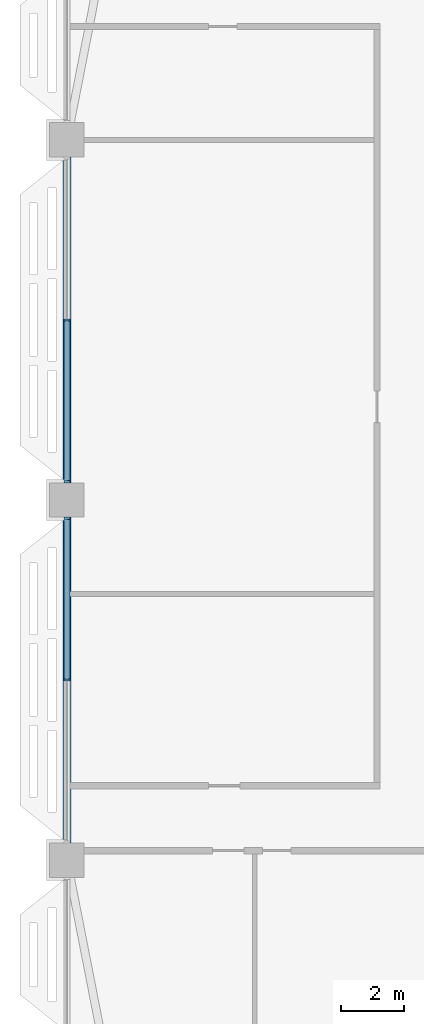
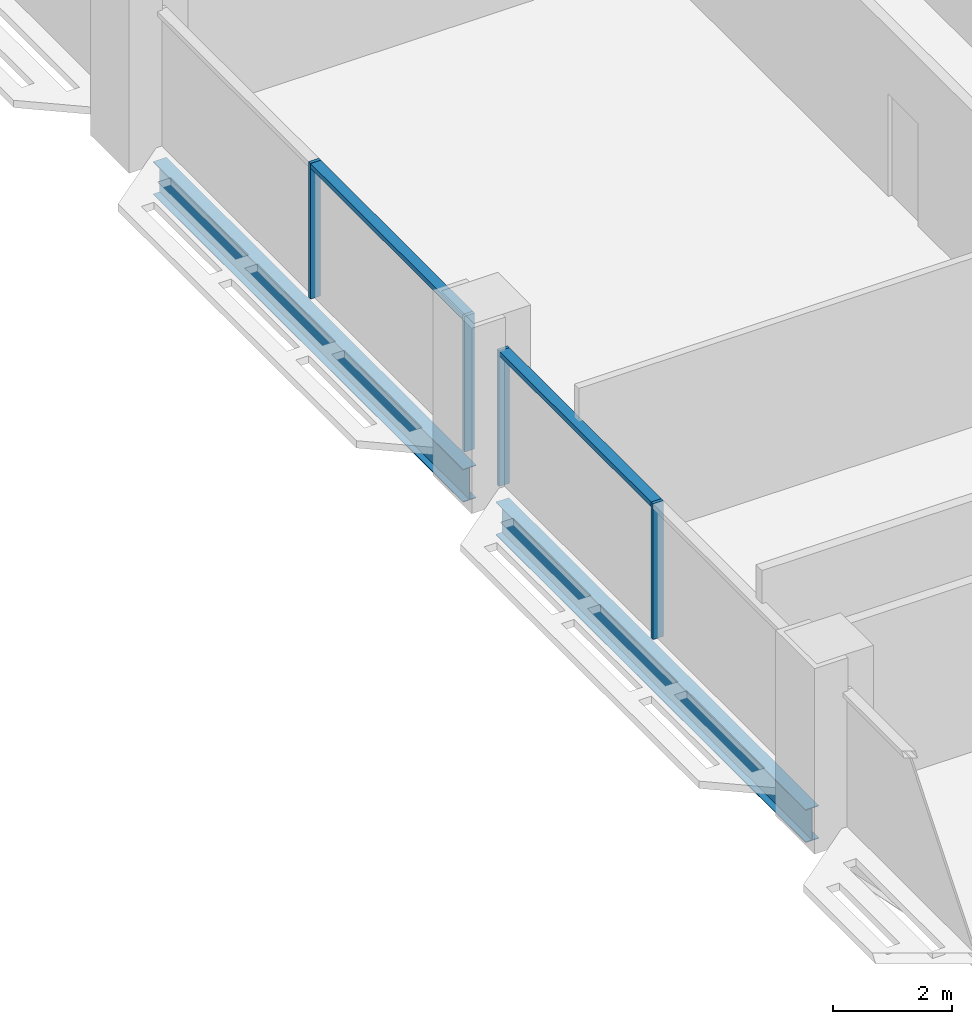
# One storey, part 5 of 30: 6 members, 2 beams, 2 elements without a shape of their own.
"""IFC4 building model written with IfcOpenShell, lengths in metres."""

from ifc_helpers import new_model, si_unit, direction, frame, origin, origin_2d, place, context, subcontext, project, spatial, rectangle, i_section, extrude, material, material_profile, profile_set, type_object, element, aggregate, save


model = new_model("IFC4")

# Units and contexts
model_context = context("Model", 3, precision=1e-05, world=origin(), true_north=direction((0.0, 1.0)))
body_context = subcontext(model_context, "Body", "Model", "MODEL_VIEW")
ifc_project = project(units=[si_unit("LENGTHUNIT", "METRE"), si_unit("AREAUNIT", "SQUARE_METRE"), si_unit("VOLUMEUNIT", "CUBIC_METRE"), si_unit("PLANEANGLEUNIT", "RADIAN"), si_unit("MASSUNIT", "GRAM", prefix="KILO")], contexts=[model_context])

# Site, building, storey
site_placement = place(None, origin())
site = spatial("IfcSite", under=ifc_project, at=site_placement, CompositionType="ELEMENT")
building_placement = place(site_placement, origin())
building = spatial("IfcBuilding", under=site, at=building_placement, Name="Mahtab Terrace Research Tower", CompositionType="ELEMENT")
storey_placement = place(building_placement, frame((0.0, 0.0, 212.89990234375)))
storey = spatial("IfcBuildingStorey", under=building, at=storey_placement, Name="L51", CompositionType="ELEMENT", Elevation=212.89990234375)

# Curtain wall, members
ifc_material_1 = material(Name="Laboratory ribbon curtain wall")
curtain_wall_type = type_object("IfcCurtainWallType", Name="Laboratory ribbon curtain wall", PredefinedType="NOTDEFINED", material=ifc_material_1)
curtain_wall_1_placement = place(storey_placement, origin())
curtain_wall_1 = element("IfcCurtainWall", 1, at=curtain_wall_1_placement, inside=storey, type_object=curtain_wall_type, Name="EN.L51.8.16", PredefinedType="NOTDEFINED")
ifc_material_2 = material(Name="Natural anodised aluminium", Category="aluminium")
ifc_material_profile_1 = material_profile(ifc_material_2, rectangle(XDim=0.199951171875, YDim=0.06494140625, at=origin_2d()), Name="MULLION 65x200")
ifc_profile_set_1 = profile_set([ifc_material_profile_1], Name="Natural anodised aluminium")
member_type_1 = type_object("IfcMemberType", Name="Laboratory ribbon curtain wall mullion", PredefinedType="MULLION", material=ifc_profile_set_1)
member_1_placement = place(storey_placement, frame((-42.0, 5.75, 0.0), z_axis=(0.0, 0.0, 1.0), x_axis=(1.0, 0.0, 0.0)))
member_1 = element("IfcMember", 2, at=member_1_placement, type_object=member_type_1, Name="CWL-6 mullion 2", PredefinedType="MULLION", context=body_context, shape_type="SweptSolid", body=[
    extrude(rectangle(XDim=0.199951171875, YDim=0.06494140625, at=origin_2d()), origin(), (0.0, 0.0, 1.0), 2.781982421875),
])
member_2_placement = place(storey_placement, frame((-42.0, 0.58251953125, 0.0), z_axis=(0.0, 0.0, 1.0), x_axis=(1.0, 0.0, 0.0)))
member_2 = element("IfcMember", 3, at=member_2_placement, type_object=member_type_1, Name="CWL-6 mullion 3", PredefinedType="MULLION", context=body_context, shape_type="SweptSolid", body=[
    extrude(rectangle(XDim=0.199951171875, YDim=0.06494140625, at=origin_2d()), origin(), (0.0, 0.0, 1.0), 2.781982421875),
])

curtain_wall_2_placement = place(storey_placement, origin())
curtain_wall_2 = element("IfcCurtainWall", 4, at=curtain_wall_2_placement, inside=storey, type_object=curtain_wall_type, Name="EN.L51.8.17", PredefinedType="NOTDEFINED")
member_3_placement = place(storey_placement, frame((-42.0, -0.58251953125, 0.0), z_axis=(0.0, 0.0, 1.0), x_axis=(1.0, 0.0, 0.0)))
member_3 = element("IfcMember", 5, at=member_3_placement, type_object=member_type_1, Name="CWL-6 mullion 1", PredefinedType="MULLION", context=body_context, shape_type="SweptSolid", body=[
    extrude(rectangle(XDim=0.199951171875, YDim=0.06494140625, at=origin_2d()), origin(), (0.0, 0.0, 1.0), 2.781982421875),
])
member_4_placement = place(storey_placement, frame((-42.0, -5.75, 0.0), z_axis=(0.0, 0.0, 1.0), x_axis=(1.0, 0.0, 0.0)))
member_4 = element("IfcMember", 6, at=member_4_placement, type_object=member_type_1, Name="CWL-6 mullion 2", PredefinedType="MULLION", context=body_context, shape_type="SweptSolid", body=[
    extrude(rectangle(XDim=0.199951171875, YDim=0.06494140625, at=origin_2d()), origin(), (0.0, 0.0, 1.0), 2.781982421875),
])

# Member
ifc_material_profile_2 = material_profile(ifc_material_2, rectangle(XDim=0.199951171875, YDim=0.10009765625, at=origin_2d()), Name="TRANSOM 100x200")
ifc_profile_set_2 = profile_set([ifc_material_profile_2], Name="Natural anodised aluminium")
member_type_2 = type_object("IfcMemberType", Name="Laboratory ribbon curtain wall transom", PredefinedType="USERDEFINED", material=ifc_profile_set_2)
member_5_placement = place(storey_placement, frame((-42.0, 5.717529296875, 2.73193359375), z_axis=(0.0, -1.0, 0.0), x_axis=(1.0, 0.0, 0.0)))
member_5 = element("IfcMember", 7, at=member_5_placement, type_object=member_type_2, Name="CWL-6 transom 2", ObjectType="TRANSOM", PredefinedType="USERDEFINED", context=body_context, shape_type="SweptSolid", body=[
    extrude(rectangle(XDim=0.199951171875, YDim=0.10009765625, at=origin_2d()), origin(), (0.0, 0.0, 1.0), 5.1025390625),
])

aggregate(curtain_wall_1, [member_1, member_2, member_5])

member_6_placement = place(storey_placement, frame((-42.0, -0.614990234375, 2.73193359375), z_axis=(0.0, -1.0, 0.0), x_axis=(1.0, 0.0, 0.0)))
member_6 = element("IfcMember", 8, at=member_6_placement, type_object=member_type_2, Name="CWL-6 transom 1", ObjectType="TRANSOM", PredefinedType="USERDEFINED", context=body_context, shape_type="SweptSolid", body=[
    extrude(rectangle(XDim=0.199951171875, YDim=0.10009765625, at=origin_2d()), origin(), (0.0, 0.0, 1.0), 5.1025390625),
])

aggregate(curtain_wall_2, [member_3, member_4, member_6])

# Beams
ifc_material_3 = material(Name="Steel ASTM A992 Gr 50", Category="steel")
ifc_material_profile_3 = material_profile(ifc_material_3, i_section(OverallWidth=0.25390625, OverallDepth=0.67822265625, WebThickness=0.01171875, FlangeThickness=0.016357421875, at=origin_2d()), Name="W27X84")
ifc_profile_set_3 = profile_set([ifc_material_profile_3], Name="Steel ASTM A992 Gr 50")
beam_type = type_object("IfcBeamType", Name="W27x84 beam BS2784", PredefinedType="BEAM", material=ifc_profile_set_3)
for number, where, z_axis, x_axis, name in (
    (9, (-42.0, 10.949951171875, -0.678955078125), (0.0, -1.0, 0.0), (1.0, 0.0, 0.0), "Spandrel beam L51 10"),
    (10, (-42.0, -0.550048828125, -0.678955078125), (0.0, -1.0, 0.0), (1.0, 0.0, 0.0), "Spandrel beam L51 11"),
):
    element("IfcBeam", number, at=place(storey_placement, frame(where, z_axis=z_axis, x_axis=x_axis)), inside=storey, type_object=beam_type, Name=name, PredefinedType="BEAM", context=body_context, shape_type="SweptSolid", body=[
        extrude(i_section(OverallWidth=0.25390625, OverallDepth=0.67822265625, WebThickness=0.01171875, FlangeThickness=0.016357421875, at=origin_2d()), origin(), (0.0, 0.0, 1.0), 10.39990234375),
    ])

save(model, "model.ifc")
